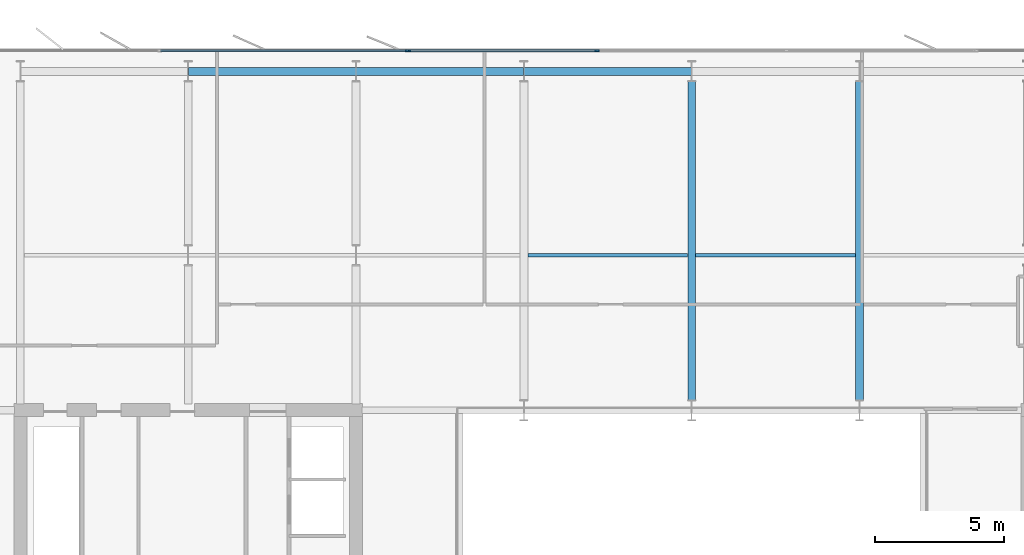
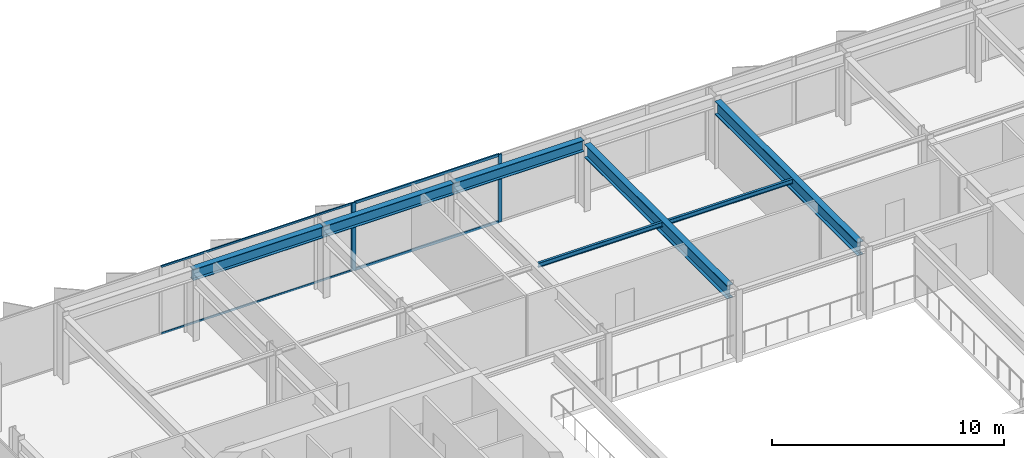
# One storey, part 11 of 23: 7 beams, 7 members, 2 elements without a shape of their own.
"""IFC4 building model written with IfcOpenShell, lengths in metres."""

from ifc_helpers import new_model, si_unit, direction, frame, origin, origin_2d, place, context, subcontext, project, spatial, rectangle, i_section, extrude, material, layer, layer_set, material_profile, profile_set, type_object, element, aggregate, save


model = new_model("IFC4")

# Units and contexts
model_context = context("Model", 3, precision=1e-05, world=origin(), true_north=direction((0.0, 1.0)))
body_context = subcontext(model_context, "Body", "Model", "MODEL_VIEW")
ifc_project = project(units=[si_unit("LENGTHUNIT", "METRE"), si_unit("AREAUNIT", "SQUARE_METRE"), si_unit("VOLUMEUNIT", "CUBIC_METRE"), si_unit("PLANEANGLEUNIT", "RADIAN"), si_unit("MASSUNIT", "GRAM", prefix="KILO")], contexts=[model_context])

# Site, building, storey
site_placement = place(None, origin())
site = spatial("IfcSite", under=ifc_project, at=site_placement, CompositionType="ELEMENT")
building_placement = place(site_placement, origin())
building = spatial("IfcBuilding", under=site, at=building_placement, Name="Putna Gate Headquarters", CompositionType="ELEMENT")
storey_placement = place(building_placement, frame((0.0, 0.0, 206.199951171875)))
storey = spatial("IfcBuildingStorey", under=building, at=storey_placement, Name="L51", CompositionType="ELEMENT", Elevation=206.199951171875)

# Beams
ifc_material_1 = material(Name="Steel S355J2", Category="steel")
ifc_material_profile_1 = material_profile(ifc_material_1, i_section(OverallWidth=0.300048828125, OverallDepth=0.699951171875, WebThickness=0.01708984375, FlangeThickness=0.031982421875, at=origin_2d()), Name="Steel S355J2")
ifc_profile_set_1 = profile_set([ifc_material_profile_1], Name="Steel S355J2")
beam_type_1 = type_object("IfcBeamType", Name="BM-GIRD-B-HEB700", PredefinedType="USERDEFINED", material=ifc_profile_set_1)
for number, where, z_axis, x_axis, name in (
    (1, (39.0, 33.39501953125, 3.22998046875), (0.0, 1.0, 0.0), (-1.0, 0.0, 0.0), "L51 North Primary Girder X39"),
    (2, (45.5, 33.39501953125, 3.22998046875), (0.0, 1.0, 0.0), (-1.0, 0.0, 0.0), "L51 North Primary Girder X45"),
):
    element("IfcBeam", number, at=place(storey_placement, frame(where, z_axis=z_axis, x_axis=x_axis)), inside=storey, type_object=beam_type_1, Name=name, ObjectType="GIRDER", PredefinedType="USERDEFINED", context=body_context, shape_type="SweptSolid", body=[
        extrude(i_section(OverallWidth=0.300048828125, OverallDepth=0.699951171875, WebThickness=0.01708984375, FlangeThickness=0.031982421875, at=origin_2d()), origin(), (0.0, 0.0, 1.0), 12.330078125),
    ])
ifc_material_profile_2 = material_profile(ifc_material_1, i_section(OverallWidth=0.1201171875, OverallDepth=0.239990234375, WebThickness=0.006103515625, FlangeThickness=0.009765625, at=origin_2d()), Name="Steel S355J2")
ifc_profile_set_2 = profile_set([ifc_material_profile_2], Name="Steel S355J2")
beam_type_2 = type_object("IfcBeamType", Name="BM-SEC-Z4-IPE240", PredefinedType="JOIST", material=ifc_profile_set_2)
for number, where, z_axis, x_axis, name in (
    (3, (32.654052734375, 39.0, 3.4599609375), (1.0, 0.0, 0.0), (0.0, 1.0, 0.0), "L51 North Secondary Beam 4"),
    (4, (39.154052734375, 39.0, 3.4599609375), (1.0, 0.0, 0.0), (0.0, 1.0, 0.0), "L51 North Secondary Beam 5"),
):
    element("IfcBeam", number, at=place(storey_placement, frame(where, z_axis=z_axis, x_axis=x_axis)), inside=storey, type_object=beam_type_2, Name=name, PredefinedType="JOIST", context=body_context, shape_type="SweptSolid", body=[
        extrude(i_section(OverallWidth=0.1201171875, OverallDepth=0.239990234375, WebThickness=0.006103515625, FlangeThickness=0.009765625, at=origin_2d()), origin(), (0.0, 0.0, 1.0), 6.19189453125),
    ])
ifc_material_profile_3 = material_profile(ifc_material_1, i_section(OverallWidth=0.300048828125, OverallDepth=0.590087890625, WebThickness=0.012939453125, FlangeThickness=0.02490234375, at=origin_2d()), Name="Steel S355J2")
ifc_profile_set_3 = profile_set([ifc_material_profile_3], Name="Steel S355J2")
beam_type_3 = type_object("IfcBeamType", Name="BM-SPAN-Z4-HEA600", PredefinedType="SPANDREL", material=ifc_profile_set_3)
for number, where, z_axis, x_axis, name in (
    (5, (19.506103515625, 46.1201171875, 3.28515625), (1.0, 0.0, 0.0), (0.0, 1.0, 0.0), "L51 N Perimeter Spandrel 2"),
    (6, (26.006103515625, 46.1201171875, 3.28515625), (1.0, 0.0, 0.0), (0.0, 1.0, 0.0), "L51 N Perimeter Spandrel 3"),
    (7, (32.506103515625, 46.1201171875, 3.28515625), (1.0, 0.0, 0.0), (0.0, 1.0, 0.0), "L51 N Perimeter Spandrel 4"),
):
    element("IfcBeam", number, at=place(storey_placement, frame(where, z_axis=z_axis, x_axis=x_axis)), inside=storey, type_object=beam_type_3, Name=name, PredefinedType="SPANDREL", context=body_context, shape_type="SweptSolid", body=[
        extrude(i_section(OverallWidth=0.300048828125, OverallDepth=0.590087890625, WebThickness=0.012939453125, FlangeThickness=0.02490234375, at=origin_2d()), origin(), (0.0, 0.0, 1.0), 6.48779296875),
    ])

# Curtain wall, member
ifc_material_2 = material(Name="Anodised bronze aluminium curtain wall", Category="aluminium")
ifc_layer_1 = layer(ifc_material_2, 0.139892578125)
ifc_layer_set_1 = layer_set([ifc_layer_1], Name="Anodised bronze aluminium curtain wall")
curtain_wall_type_1 = type_object("IfcCurtainWallType", Name="CW-SYS-Z4", PredefinedType="USERDEFINED", material=ifc_layer_set_1)
curtain_wall_1_placement = place(storey_placement, origin())
curtain_wall_1 = element("IfcCurtainWall", 8, at=curtain_wall_1_placement, inside=storey, type_object=curtain_wall_type_1, Name="L51 North West Curtain Wall", ObjectType="STICK CURTAIN WALL", PredefinedType="USERDEFINED")
ifc_material_3 = material(Name="Anodised bronze aluminium EN AW-6060", Category="aluminium")
ifc_material_profile_4 = material_profile(ifc_material_3, rectangle(XDim=0.06005859375, YDim=0.139892578125, at=origin_2d()), Name="Anodised bronze aluminium EN AW-6060")
ifc_profile_set_4 = profile_set([ifc_material_profile_4], Name="Anodised bronze aluminium EN AW-6060")
member_type_1 = type_object("IfcMemberType", Name="MULL-CWM-4", PredefinedType="MULLION", material=ifc_profile_set_4)
member_1_placement = place(storey_placement, frame((27.969970703125, 46.919921875, 0.0), z_axis=(0.0, 0.0, 1.0), x_axis=(0.0, 1.0, 0.0)))
member_1 = element("IfcMember", 9, at=member_1_placement, type_object=member_type_1, Name="CWS-4 mullion 3", PredefinedType="MULLION", context=body_context, shape_type="SweptSolid", body=[
    extrude(rectangle(XDim=0.06005859375, YDim=0.139892578125, at=origin_2d()), origin(), (0.0, 0.0, 1.0), 3.580078125),
])

# Curtain wall, members
ifc_layer_2 = layer(ifc_material_2, 0.179931640625)
ifc_layer_set_2 = layer_set([ifc_layer_2], Name="Anodised bronze aluminium curtain wall")
curtain_wall_type_2 = type_object("IfcCurtainWallType", Name="CW-SYS-ATR", PredefinedType="USERDEFINED", material=ifc_layer_set_2)
curtain_wall_2_placement = place(storey_placement, origin())
curtain_wall_2 = element("IfcCurtainWall", 10, at=curtain_wall_2_placement, inside=storey, type_object=curtain_wall_type_2, Name="L51 North Atrium Clear Glazing", ObjectType="ATRIUM GLAZING", PredefinedType="USERDEFINED")
ifc_material_profile_5 = material_profile(ifc_material_3, rectangle(XDim=0.070068359375, YDim=0.179931640625, at=origin_2d()), Name="Anodised bronze aluminium EN AW-6060")
ifc_profile_set_5 = profile_set([ifc_material_profile_5], Name="Anodised bronze aluminium EN AW-6060")
member_type_2 = type_object("IfcMemberType", Name="MULL-CWM-AT", PredefinedType="MULLION", material=ifc_profile_set_5)
member_2_placement = place(storey_placement, frame((28.034912109375, 46.919921875, 0.0), z_axis=(0.0, 0.0, 1.0), x_axis=(0.0, 1.0, 0.0)))
member_2 = element("IfcMember", 11, at=member_2_placement, type_object=member_type_2, Name="CWS-AT mullion 1", PredefinedType="MULLION", context=body_context, shape_type="SweptSolid", body=[
    extrude(rectangle(XDim=0.070068359375, YDim=0.179931640625, at=origin_2d()), origin(), (0.0, 0.0, 1.0), 3.580078125),
])
member_3_placement = place(storey_placement, frame((35.333251953125, 46.919921875, 0.0), z_axis=(0.0, 0.0, 1.0), x_axis=(0.0, 1.0, 0.0)))
member_3 = element("IfcMember", 12, at=member_3_placement, type_object=member_type_2, Name="CWS-AT mullion 2", PredefinedType="MULLION", context=body_context, shape_type="SweptSolid", body=[
    extrude(rectangle(XDim=0.070068359375, YDim=0.179931640625, at=origin_2d()), origin(), (0.0, 0.0, 1.0), 3.580078125),
])

# Member
ifc_material_profile_6 = material_profile(ifc_material_3, rectangle(XDim=0.06005859375, YDim=0.10009765625, at=origin_2d()), Name="Anodised bronze aluminium EN AW-6060")
ifc_profile_set_6 = profile_set([ifc_material_profile_6], Name="Anodised bronze aluminium EN AW-6060")
member_type_3 = type_object("IfcMemberType", Name="TRAN-CWT-4", PredefinedType="USERDEFINED", material=ifc_profile_set_6)
member_4_placement = place(storey_placement, frame((18.429931640625, 46.919921875, 0.030029296875), z_axis=(1.0, 0.0, 0.0), x_axis=(0.0, 1.0, 0.0)))
member_4 = element("IfcMember", 13, at=member_4_placement, type_object=member_type_3, Name="CWS-4 transom 2.1", ObjectType="TRANSOM", PredefinedType="USERDEFINED", context=body_context, shape_type="SweptSolid", body=[
    extrude(rectangle(XDim=0.06005859375, YDim=0.10009765625, at=origin_2d()), origin(), (0.0, 0.0, 1.0), 9.510009765625),
])

member_5_placement = place(storey_placement, frame((18.429931640625, 46.919921875, 3.550048828125), z_axis=(1.0, 0.0, 0.0), x_axis=(0.0, 1.0, 0.0)))
member_5 = element("IfcMember", 14, at=member_5_placement, type_object=member_type_3, Name="CWS-4 transom 2.2", ObjectType="TRANSOM", PredefinedType="USERDEFINED", context=body_context, shape_type="SweptSolid", body=[
    extrude(rectangle(XDim=0.06005859375, YDim=0.10009765625, at=origin_2d()), origin(), (0.0, 0.0, 1.0), 9.510009765625),
])

aggregate(curtain_wall_1, [member_1, member_4, member_5])

ifc_material_profile_7 = material_profile(ifc_material_3, rectangle(XDim=0.070068359375, YDim=0.139892578125, at=origin_2d()), Name="Anodised bronze aluminium EN AW-6060")
ifc_profile_set_7 = profile_set([ifc_material_profile_7], Name="Anodised bronze aluminium EN AW-6060")
member_type_4 = type_object("IfcMemberType", Name="TRAN-CWT-AT", PredefinedType="USERDEFINED", material=ifc_profile_set_7)
member_6_placement = place(storey_placement, frame((28.070068359375, 46.919921875, 0.03515625), z_axis=(1.0, 0.0, 0.0), x_axis=(0.0, 1.0, 0.0)))
member_6 = element("IfcMember", 15, at=member_6_placement, type_object=member_type_4, Name="CWS-AT transom 1.1", ObjectType="TRANSOM", PredefinedType="USERDEFINED", context=body_context, shape_type="SweptSolid", body=[
    extrude(rectangle(XDim=0.070068359375, YDim=0.139892578125, at=origin_2d()), origin(), (0.0, 0.0, 1.0), 7.228271484375),
])

member_7_placement = place(storey_placement, frame((28.070068359375, 46.919921875, 3.545166015625), z_axis=(1.0, 0.0, 0.0), x_axis=(0.0, 1.0, 0.0)))
member_7 = element("IfcMember", 16, at=member_7_placement, type_object=member_type_4, Name="CWS-AT transom 1.2", ObjectType="TRANSOM", PredefinedType="USERDEFINED", context=body_context, shape_type="SweptSolid", body=[
    extrude(rectangle(XDim=0.070068359375, YDim=0.139892578125, at=origin_2d()), origin(), (0.0, 0.0, 1.0), 7.228271484375),
])

aggregate(curtain_wall_2, [member_2, member_3, member_6, member_7])

save(model, "model.ifc")
